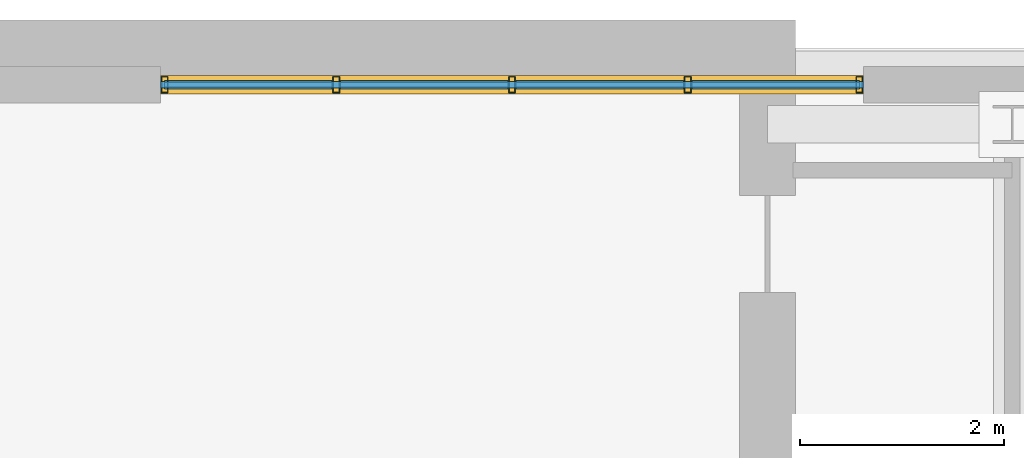
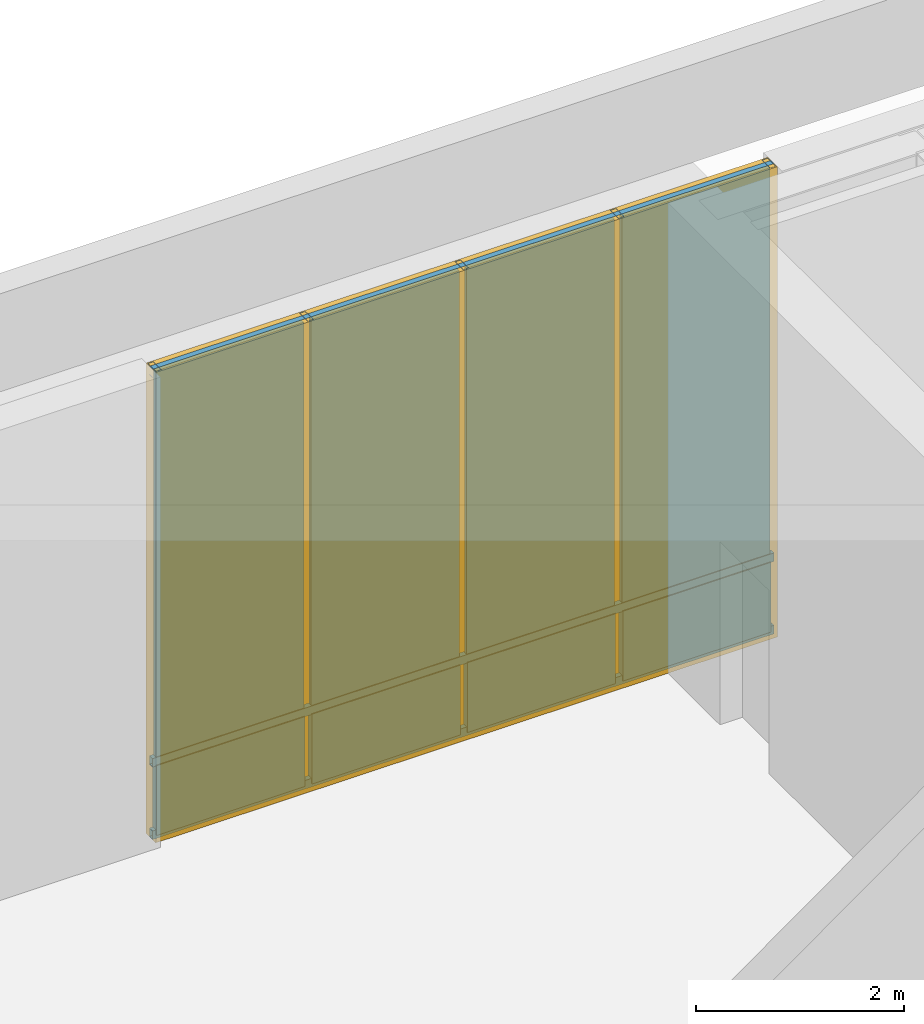
# One storey, part 12 of 17: 8 members, 8 plates, 1 curtain wall.
"""IFC4 building model written with IfcOpenShell, lengths in metres."""

from ifc_helpers import new_model, si_unit, direction, frame, frame_2d, origin, origin_2d, place, context, subcontext, project, spatial, rectangle, hollow_rectangle, extrude, material, layer, layer_set, material_profile, profile_set, type_object, element, aggregate, save


model = new_model("IFC4")

# Units and contexts
model_context = context("Model", 3, precision=1e-05, world=origin(), true_north=direction((0.0, 1.0)))
body_context = subcontext(model_context, "Body", "Model", "MODEL_VIEW")
ifc_project = project(units=[si_unit("LENGTHUNIT", "METRE"), si_unit("AREAUNIT", "SQUARE_METRE"), si_unit("VOLUMEUNIT", "CUBIC_METRE"), si_unit("PLANEANGLEUNIT", "RADIAN"), si_unit("MASSUNIT", "GRAM", prefix="KILO")], contexts=[model_context])

# Member
ifc_material_1 = material(Name="Anodized Aluminium 6063-T6", Category="aluminium")
ifc_material_profile_1 = material_profile(ifc_material_1, hollow_rectangle(XDim=0.06494140625, YDim=0.159912109375, WallThickness=0.00390625, at=origin_2d()), Name="Anodized Aluminium 6063-T6")
ifc_profile_set_1 = profile_set([ifc_material_profile_1], Name="Anodized Aluminium 6063-T6")
member_type_1 = type_object("IfcMemberType", Name="Curtain Wall Mullion 160", PredefinedType="MULLION", material=ifc_profile_set_1)
site_placement = place(None, origin())
building_placement = place(site_placement, origin())
storey_placement = place(building_placement, frame((0.0, 0.0, 308.0)))
member_1_placement = place(storey_placement, frame((17.699951171875, 47.639892578125, 0.0), z_axis=(0.0, 0.0, 1.0), x_axis=(-1.0, 0.0, 0.0)))
member_1 = element("IfcMember", 1, at=member_1_placement, type_object=member_type_1, Name="Curtain Wall Mullion CW-L78-E11-2-M01", PredefinedType="MULLION", context=body_context, shape_type="SweptSolid", body=[
    extrude(hollow_rectangle(XDim=0.06494140625, YDim=0.159912109375, WallThickness=0.00390625, at=origin_2d()), origin(), (0.0, 0.0, 1.0), 5.52001953125),
])

member_2_placement = place(storey_placement, frame((16.014892578125, 47.639892578125, 0.0), z_axis=(0.0, 0.0, 1.0), x_axis=(-1.0, 0.0, 0.0)))
member_2 = element("IfcMember", 2, at=member_2_placement, type_object=member_type_1, Name="Curtain Wall Mullion CW-L78-E11-2-M02", PredefinedType="MULLION", context=body_context, shape_type="SweptSolid", body=[
    extrude(hollow_rectangle(XDim=0.06494140625, YDim=0.159912109375, WallThickness=0.00390625, at=origin_2d()), origin(), (0.0, 0.0, 1.0), 5.52001953125),
])

member_3_placement = place(storey_placement, frame((14.2900390625, 47.639892578125, 0.0), z_axis=(0.0, 0.0, 1.0), x_axis=(-1.0, 0.0, 0.0)))
member_3 = element("IfcMember", 3, at=member_3_placement, type_object=member_type_1, Name="Curtain Wall Mullion CW-L78-E11-2-M03", PredefinedType="MULLION", context=body_context, shape_type="SweptSolid", body=[
    extrude(hollow_rectangle(XDim=0.06494140625, YDim=0.159912109375, WallThickness=0.00390625, at=origin_2d()), origin(), (0.0, 0.0, 1.0), 5.52001953125),
])

member_4_placement = place(storey_placement, frame((12.56494140625, 47.639892578125, 0.0), z_axis=(0.0, 0.0, 1.0), x_axis=(-1.0, 0.0, 0.0)))
member_4 = element("IfcMember", 4, at=member_4_placement, type_object=member_type_1, Name="Curtain Wall Mullion CW-L78-E11-2-M04", PredefinedType="MULLION", context=body_context, shape_type="SweptSolid", body=[
    extrude(hollow_rectangle(XDim=0.06494140625, YDim=0.159912109375, WallThickness=0.00390625, at=origin_2d()), origin(), (0.0, 0.0, 1.0), 5.52001953125),
])

member_5_placement = place(storey_placement, frame((10.8798828125, 47.639892578125, 0.0), z_axis=(0.0, 0.0, 1.0), x_axis=(-1.0, 0.0, 0.0)))
member_5 = element("IfcMember", 5, at=member_5_placement, type_object=member_type_1, Name="Curtain Wall Mullion CW-L78-E11-2-M05", PredefinedType="MULLION", context=body_context, shape_type="SweptSolid", body=[
    extrude(hollow_rectangle(XDim=0.06494140625, YDim=0.159912109375, WallThickness=0.00390625, at=origin_2d()), origin(), (0.0, 0.0, 1.0), 5.52001953125),
])

ifc_material_profile_2 = material_profile(ifc_material_1, hollow_rectangle(XDim=0.06005859375, YDim=0.10009765625, WallThickness=0.0029296875, at=origin_2d()), Name="Anodized Aluminium 6063-T6")
ifc_profile_set_2 = profile_set([ifc_material_profile_2], Name="Anodized Aluminium 6063-T6")
member_type_2 = type_object("IfcMemberType", Name="Curtain Wall Transom 100", PredefinedType="USERDEFINED", material=ifc_profile_set_2)
member_6_placement = place(storey_placement, frame((17.739990234375, 47.639892578125, 0.050048828125), z_axis=(-1.0, 0.0, 0.0), x_axis=(0.0, -1.0, 0.0)))
member_6 = element("IfcMember", 6, at=member_6_placement, type_object=member_type_2, Name="Curtain Wall Transom CW-L78-E11-2-T01", ObjectType="TRANSOM", PredefinedType="USERDEFINED", context=body_context, shape_type="SweptSolid", body=[
    extrude(hollow_rectangle(XDim=0.06005859375, YDim=0.10009765625, WallThickness=0.0029296875, at=origin_2d()), origin(), (0.0, 0.0, 1.0), 6.89990234375),
])

member_7_placement = place(storey_placement, frame((17.739990234375, 47.639892578125, 0.89990234375), z_axis=(-1.0, 0.0, 0.0), x_axis=(0.0, -1.0, 0.0)))
member_7 = element("IfcMember", 7, at=member_7_placement, type_object=member_type_2, Name="Curtain Wall Transom CW-L78-E11-2-T02", ObjectType="TRANSOM", PredefinedType="USERDEFINED", context=body_context, shape_type="SweptSolid", body=[
    extrude(hollow_rectangle(XDim=0.06005859375, YDim=0.10009765625, WallThickness=0.0029296875, at=origin_2d()), origin(), (0.0, 0.0, 1.0), 6.89990234375),
])

member_8_placement = place(storey_placement, frame((17.739990234375, 47.639892578125, 5.469970703125), z_axis=(-1.0, 0.0, 0.0), x_axis=(0.0, -1.0, 0.0)))
member_8 = element("IfcMember", 8, at=member_8_placement, type_object=member_type_2, Name="Curtain Wall Transom CW-L78-E11-2-T03", ObjectType="TRANSOM", PredefinedType="USERDEFINED", context=body_context, shape_type="SweptSolid", body=[
    extrude(hollow_rectangle(XDim=0.06005859375, YDim=0.10009765625, WallThickness=0.0029296875, at=origin_2d()), origin(), (0.0, 0.0, 1.0), 6.89990234375),
])

# Plate
ifc_material_2 = material(Name="Triple Low-E Argon Glazing", Category="glass")
ifc_layer_1 = layer(ifc_material_2, 0.0439453125, Name="Triple Low-E Argon Glazing")
ifc_layer_set_1 = layer_set([ifc_layer_1], Name="Triple Low-E Argon Glazing")
plate_type_1 = type_object("IfcPlateType", Name="Plate CWGlazing 44", PredefinedType="CURTAIN_PANEL", material=ifc_layer_set_1)
plate_1_placement = place(storey_placement, frame((16.87744140625, 47.639892578125, 0.93994140625), z_axis=(0.0, 0.0, 1.0), x_axis=(-1.0, 0.0, 0.0)))
plate_1 = element("IfcPlate", 9, at=plate_1_placement, type_object=plate_type_1, Name="Vision Glazing Panel CW-L78-E11-2-GL01", PredefinedType="CURTAIN_PANEL", context=body_context, shape_type="SweptSolid", body=[
    extrude(rectangle(XDim=1.64501953125, YDim=0.0439453125, at=origin_2d()), origin(), (0.0, 0.0, 1.0), 4.5400390625),
])

plate_2_placement = place(storey_placement, frame((15.152587890625, 47.639892578125, 0.93994140625), z_axis=(0.0, 0.0, 1.0), x_axis=(-1.0, 0.0, 0.0)))
plate_2 = element("IfcPlate", 10, at=plate_2_placement, type_object=plate_type_1, Name="Vision Glazing Panel CW-L78-E11-2-GL02", PredefinedType="CURTAIN_PANEL", context=body_context, shape_type="SweptSolid", body=[
    extrude(rectangle(XDim=1.64501953125, YDim=0.0439453125, at=origin_2d()), origin(), (0.0, 0.0, 1.0), 4.5400390625),
])

plate_3_placement = place(storey_placement, frame((13.427490234375, 47.639892578125, 0.93994140625), z_axis=(0.0, 0.0, 1.0), x_axis=(-1.0, 0.0, 0.0)))
plate_3 = element("IfcPlate", 11, at=plate_3_placement, type_object=plate_type_1, Name="Vision Glazing Panel CW-L78-E11-2-GL03", PredefinedType="CURTAIN_PANEL", context=body_context, shape_type="SweptSolid", body=[
    extrude(rectangle(XDim=1.64501953125, YDim=0.0439453125, at=origin_2d()), origin(), (0.0, 0.0, 1.0), 4.5400390625),
])

plate_4_placement = place(storey_placement, frame((11.702392578125, 47.639892578125, 0.93994140625), z_axis=(0.0, 0.0, 1.0), x_axis=(-1.0, 0.0, 0.0)))
plate_4 = element("IfcPlate", 12, at=plate_4_placement, type_object=plate_type_1, Name="Vision Glazing Panel CW-L78-E11-2-GL04", PredefinedType="CURTAIN_PANEL", context=body_context, shape_type="SweptSolid", body=[
    extrude(rectangle(XDim=1.64501953125, YDim=0.0439453125, at=origin_2d()), origin(), (0.0, 0.0, 1.0), 4.5400390625),
])

ifc_material_3 = material(Name="Insulated Aluminium Spandrel Panel", Category="aluminium")
ifc_layer_2 = layer(ifc_material_3, 0.080078125, Name="Insulated Aluminium Spandrel Panel")
ifc_layer_set_2 = layer_set([ifc_layer_2], Name="Insulated Aluminium Spandrel Panel")
plate_type_2 = type_object("IfcPlateType", Name="Plate CWSpandrel 80", PredefinedType="SHEET", material=ifc_layer_set_2)
plate_5_placement = place(storey_placement, frame((16.87744140625, 47.639892578125, 0.0400390625), z_axis=(0.0, 0.0, 1.0), x_axis=(-1.0, 0.0, 0.0)))
plate_5 = element("IfcPlate", 13, at=plate_5_placement, type_object=plate_type_2, Name="Spandrel Panel CW-L78-E11-2-SP01", PredefinedType="SHEET", context=body_context, shape_type="SweptSolid", body=[
    extrude(rectangle(XDim=1.64501953125, YDim=0.080078125, at=origin_2d()), origin(), (0.0, 0.0, 1.0), 0.820068359375),
])

plate_6_placement = place(storey_placement, frame((15.152587890625, 47.639892578125, 0.0400390625), z_axis=(0.0, 0.0, 1.0), x_axis=(-1.0, 0.0, 0.0)))
plate_6 = element("IfcPlate", 14, at=plate_6_placement, type_object=plate_type_2, Name="Spandrel Panel CW-L78-E11-2-SP02", PredefinedType="SHEET", context=body_context, shape_type="SweptSolid", body=[
    extrude(rectangle(XDim=1.64501953125, YDim=0.080078125, at=origin_2d()), origin(), (0.0, 0.0, 1.0), 0.820068359375),
])

plate_7_placement = place(storey_placement, frame((13.427490234375, 47.639892578125, 0.0400390625), z_axis=(0.0, 0.0, 1.0), x_axis=(-1.0, 0.0, 0.0)))
plate_7 = element("IfcPlate", 15, at=plate_7_placement, type_object=plate_type_2, Name="Spandrel Panel CW-L78-E11-2-SP03", PredefinedType="SHEET", context=body_context, shape_type="SweptSolid", body=[
    extrude(rectangle(XDim=1.64501953125, YDim=0.080078125, at=origin_2d()), origin(), (0.0, 0.0, 1.0), 0.820068359375),
])

plate_8_placement = place(storey_placement, frame((11.702392578125, 47.639892578125, 0.0400390625), z_axis=(0.0, 0.0, 1.0), x_axis=(-1.0, 0.0, 0.0)))
plate_8 = element("IfcPlate", 16, at=plate_8_placement, type_object=plate_type_2, Name="Spandrel Panel CW-L78-E11-2-SP04", PredefinedType="SHEET", context=body_context, shape_type="SweptSolid", body=[
    extrude(rectangle(XDim=1.64501953125, YDim=0.080078125, at=origin_2d()), origin(), (0.0, 0.0, 1.0), 0.820068359375),
])

# Site, building, storey
site = spatial("IfcSite", under=ifc_project, at=site_placement, CompositionType="ELEMENT")
building = spatial("IfcBuilding", under=site, at=building_placement, Name="Norrvale University Quadrangle", CompositionType="ELEMENT")
storey = spatial("IfcBuildingStorey", under=building, at=storey_placement, Name="L78", CompositionType="ELEMENT", Elevation=308.0)

# Curtain wall
ifc_material_4 = material(Name="Anodized Aluminium and Triple Glazing", Category="glass")
curtain_wall_type = type_object("IfcCurtainWallType", Name="Curtain Wall System 6 Pool Crown", PredefinedType="NOTDEFINED", material=ifc_material_4)
curtain_wall_placement = place(storey_placement, frame((17.739990234375, 47.639892578125, 0.0), z_axis=(0.0, 0.0, 1.0), x_axis=(-1.0, 0.0, 0.0)))
curtain_wall = element("IfcCurtainWall", 17, at=curtain_wall_placement, inside=storey, type_object=curtain_wall_type, Name="Curtain Wall CW System 6 Pool Crown CW-L78-E11-2", PredefinedType="NOTDEFINED", context=body_context, shape_type="SweptSolid", body=[
    extrude(rectangle(XDim=6.89990234375, YDim=0.18505859375, at=frame_2d((3.449951171875, 0.0))), origin(), (0.0, 0.0, 1.0), 5.52001953125),
])

aggregate(curtain_wall, [member_1, member_2, member_3, member_4, member_5, member_6, member_7, member_8, plate_5, plate_1, plate_6, plate_2, plate_7, plate_3, plate_8, plate_4])

save(model, "model.ifc")
